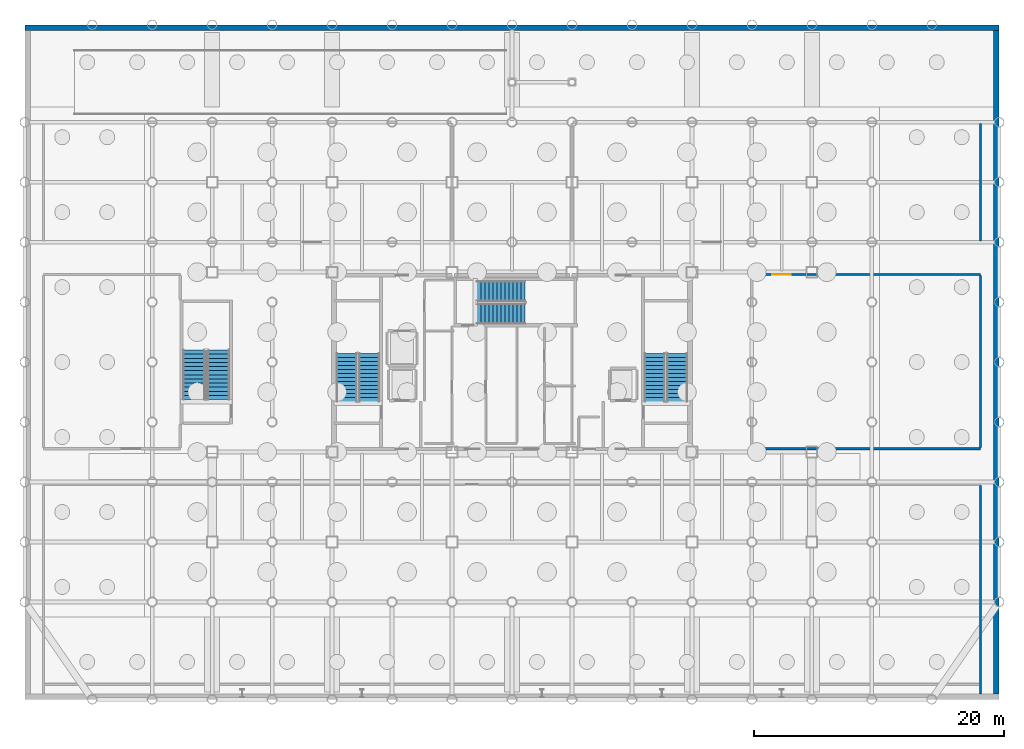
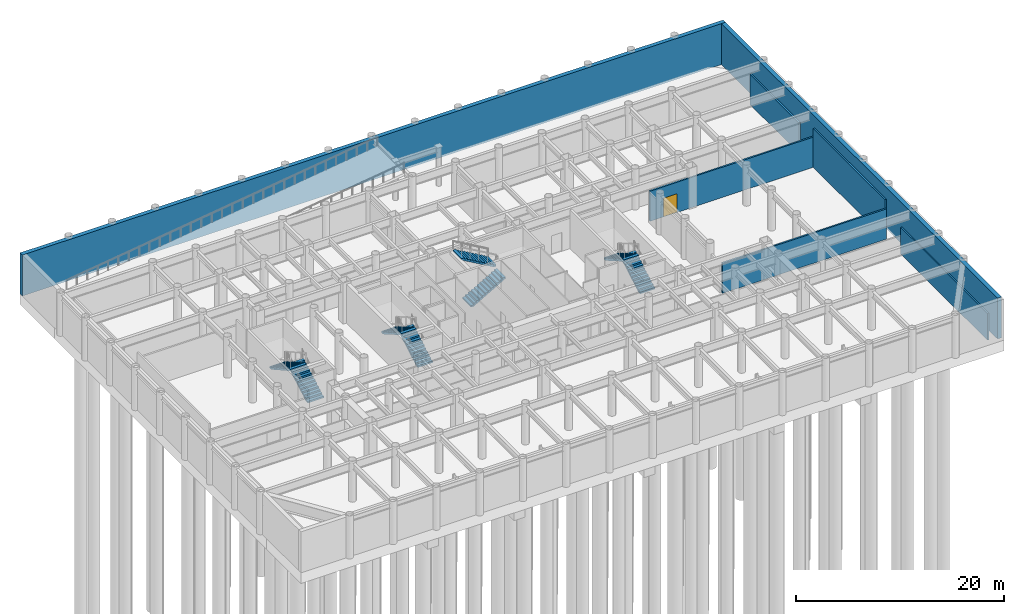
# One storey, part 12 of 17: 8 stair flights, 7 walls, 1 door, 1 opening, 4 elements without a shape of their own.
"""IFC4 building model written with IfcOpenShell, lengths in metres."""

from ifc_helpers import new_model, si_unit, direction, frame, frame_2d, origin, place, context, subcontext, project, spatial, polyline, rectangle, outline, extrude, material, layer, layer_set, type_object, element, fill, aggregate, save


model = new_model("IFC4")

# Units and contexts
model_context = context("Model", 3, precision=1e-05, world=origin(), true_north=direction((0.0, 1.0)))
body_context = subcontext(model_context, "Body", "Model", "MODEL_VIEW")
ifc_project = project(units=[si_unit("LENGTHUNIT", "METRE"), si_unit("AREAUNIT", "SQUARE_METRE"), si_unit("VOLUMEUNIT", "CUBIC_METRE"), si_unit("PLANEANGLEUNIT", "RADIAN"), si_unit("MASSUNIT", "GRAM", prefix="KILO")], contexts=[model_context])

# Site, building, storey
site_placement = place(None, origin())
site = spatial("IfcSite", under=ifc_project, at=site_placement, CompositionType="ELEMENT")
building_placement = place(site_placement, origin())
building = spatial("IfcBuilding", under=site, at=building_placement, Name="Kallvorn Hotel Tower", CompositionType="ELEMENT")
storey_placement = place(building_placement, frame((0.0, 0.0, -10.199951171875)))
storey = spatial("IfcBuildingStorey", under=building, at=storey_placement, Name="B2", CompositionType="ELEMENT", Elevation=-10.199951171875)

# Wall
ifc_material_1 = material(Name="Fire-rated double-layer acoustic gypsum drywall EI 60")
ifc_layer_1 = layer(ifc_material_1, 0.179931640625)
ifc_layer_set_1 = layer_set([ifc_layer_1], Name="WL_CORR_180")
wall_type_1 = type_object("IfcWallType", Name="WL_CORR_180", PredefinedType="PARTITIONING", material=ifc_layer_set_1)
wall_1_placement = place(storey_placement, frame((19.300048828125, -6.933349609375, 0.0), z_axis=(0.0, 0.0, 1.0), x_axis=(1.0, 0.0, 0.0)))
element("IfcWall", 1, at=wall_1_placement, inside=storey, type_object=wall_type_1, Name="B2 Medium-Voltage Substation and Standby Generator Hall Partition", PredefinedType="PARTITIONING", context=body_context, shape_type="SweptSolid", body=[
    extrude(rectangle(XDim=18.199951171875, YDim=0.179931640625, at=frame_2d((9.10009765625, 0.0))), origin(), (0.0, 0.0, 1.0), 3.550048828125),
])

# Wall, opening, door
wall_2_placement = place(storey_placement, frame((19.300048828125, 7.0, 0.0), z_axis=(0.0, 0.0, 1.0), x_axis=(1.0, 0.0, 0.0)))
wall_2 = element("IfcWall", 2, at=wall_2_placement, inside=storey, type_object=wall_type_1, Name="B2 Medium-Voltage Substation and Standby Generator Hall Partition", PredefinedType="PARTITIONING", context=body_context, shape_type="SweptSolid", body=[
    extrude(rectangle(XDim=18.199951171875, YDim=0.179931640625, at=frame_2d((9.10009765625, 0.0))), origin(), (0.0, 0.0, 1.0), 3.550048828125),
])
opening_placement = place(wall_2_placement, frame((1.516845703125, 0.0, 0.0)))
opening = element("IfcOpeningElement", 3, at=opening_placement, cuts=wall_2, Name="Opening PD1", PredefinedType="OPENING", context=body_context, shape_type="SweptSolid", body=[
    extrude(rectangle(XDim=1.5, YDim=2.199951171875, at=frame_2d((0.75, 1.10009765625))), frame((0.0, 0.104736328125, 0.0), z_axis=(0.0, -1.0, 0.0), x_axis=(1.0, 0.0, 0.0)), (0.0, 0.0, 1.0), 0.2099609375),
])
ifc_material_2 = material(Name="Galvanised painted steel fire-rated door assembly", Category="steel")
door_type = type_object("IfcDoorType", Name="DR_PLANT_1500x2200", OperationType="DOUBLE_DOOR_SINGLE_SWING", PredefinedType="DOOR", material=ifc_material_2)
door_placement = place(opening_placement, origin())
door = element("IfcDoor", 4, at=door_placement, inside=storey, type_object=door_type, Name="B2 Medium-Voltage Substation and Standby Generator Hall Door", OperationType="DOUBLE_DOOR_SINGLE_SWING", OverallHeight=2.199951171875, OverallWidth=1.5, PredefinedType="DOOR", context=body_context, shape_type="SweptSolid", body=[
    extrude(rectangle(XDim=1.5, YDim=2.199951171875, at=frame_2d((0.75, 1.10009765625))), frame((0.0, 0.02490234375, 0.0), z_axis=(0.0, -1.0, 0.0), x_axis=(1.0, 0.0, 0.0)), (0.0, 0.0, 1.0), 0.050048828125),
])
fill(opening, door)

# Walls
wall_3_placement = place(storey_placement, frame((37.5, -6.848388671875, 0.0), z_axis=(0.0, 0.0, 1.0), x_axis=(0.0, 1.0, 0.0)))
element("IfcWall", 5, at=wall_3_placement, inside=storey, type_object=wall_type_1, Name="B2 Medium-Voltage Substation and Standby Generator Hall Partition", PredefinedType="PARTITIONING", context=body_context, shape_type="SweptSolid", body=[
    extrude(rectangle(XDim=13.763427734375, YDim=0.179931640625, at=frame_2d((6.8818359375, 0.0))), origin(), (0.0, 0.0, 1.0), 4.550048828125),
])
wall_4_placement = place(storey_placement, frame((37.5, 9.68505859375, 0.0), z_axis=(0.0, 0.0, 1.0), x_axis=(0.0, 1.0, 0.0)))
element("IfcWall", 6, at=wall_4_placement, inside=storey, type_object=wall_type_1, Name="B2 Fire Reserve Tank and NFPA 20 Pump Room Partition", PredefinedType="PARTITIONING", context=body_context, shape_type="SweptSolid", body=[
    extrude(rectangle(XDim=9.4150390625, YDim=0.179931640625, at=frame_2d((4.70751953125, 0.0))), origin(), (0.0, 0.0, 1.0), 3.550048828125),
])
ifc_material_3 = material(Name="Fire-rated double-layer acoustic gypsum drywall EI 60")
ifc_layer_2 = layer(ifc_material_3, 0.14990234375)
ifc_layer_set_2 = layer_set([ifc_layer_2], Name="WL_PART_150")
wall_type_2 = type_object("IfcWallType", Name="WL_PART_150", PredefinedType="PARTITIONING", material=ifc_layer_set_2)
wall_5_placement = place(storey_placement, frame((37.5, -26.5400390625, 0.0), z_axis=(0.0, 0.0, 1.0), x_axis=(0.0, 1.0, 0.0)))
element("IfcWall", 7, at=wall_5_placement, inside=storey, type_object=wall_type_2, Name="B2 Basement Two-Way Loop Car Park Deck Partition", PredefinedType="PARTITIONING", context=body_context, shape_type="SweptSolid", body=[
    extrude(rectangle(XDim=16.655029296875, YDim=0.14990234375, at=frame_2d((8.32763671875, 0.0))), origin(), (0.0, 0.0, 1.0), 3.14990234375),
])
ifc_material_4 = material(Name="Concrete C40/50", Category="concrete")
ifc_layer_3 = layer(ifc_material_4, 0.449951171875)
ifc_layer_set_3 = layer_set([ifc_layer_3], Name="WL_RET_450")
wall_type_3 = type_object("IfcWallType", Name="WL_RET_450", PredefinedType="SOLIDWALL", material=ifc_layer_set_3)
wall_6_placement = place(storey_placement, frame((39.0, 26.77490234375, -0.25), z_axis=(0.0, 0.0, 1.0), x_axis=(-1.0, 0.0, 0.0)))
element("IfcWall", 8, at=wall_6_placement, inside=storey, type_object=wall_type_3, Name="B2 Perimeter Retaining Wall N", PredefinedType="SOLIDWALL", context=body_context, shape_type="SweptSolid", body=[
    extrude(rectangle(XDim=78.0, YDim=0.449951171875, at=frame_2d((39.0, 0.0))), origin(), (0.0, 0.0, 1.0), 4.800048828125),
])
wall_7_placement = place(storey_placement, frame((38.77490234375, -26.550048828125, -0.25), z_axis=(0.0, 0.0, 1.0), x_axis=(0.0, 1.0, 0.0)))
element("IfcWall", 9, at=wall_7_placement, inside=storey, type_object=wall_type_3, Name="B2 Perimeter Retaining Wall E", PredefinedType="SOLIDWALL", context=body_context, shape_type="SweptSolid", body=[
    extrude(rectangle(XDim=53.10009765625, YDim=0.449951171875, at=frame_2d((26.550048828125, 0.0))), origin(), (0.0, 0.0, 1.0), 4.800048828125),
])

# Stair, stair flights
ifc_material_5 = material(Name="Precast concrete C40/50", Category="concrete")
stair_type_1 = type_object("IfcStairType", Name="STR_CORE_DOGLEG", PredefinedType="HALF_TURN_STAIR", material=ifc_material_5)
stair_1_placement = place(storey_placement, origin())
stair_1 = element("IfcStair", 10, at=stair_1_placement, inside=storey, type_object=stair_type_1, Name="B2 Exit stair ST1", PredefinedType="HALF_TURN_STAIR")
ifc_material_6 = material(Name="Precast concrete C40/50", Category="concrete")
stair_flight_type_1 = type_object("IfcStairFlightType", Name="FLT_CORE_1660", PredefinedType="STRAIGHT", material=ifc_material_6)
stair_flight_1_placement = place(storey_placement, frame((-11.429931640625, -3.139892578125, 0.0), z_axis=(0.0, 0.0, 1.0), x_axis=(0.0, 1.0, 0.0)))
stair_flight_1 = element("IfcStairFlight", 11, at=stair_flight_1_placement, type_object=stair_flight_type_1, Name="ST1 flight 1", NumberOfRisers=13, NumberOfTreads=12, PredefinedType="STRAIGHT", RiserHeight=0.184615385, TreadLength=0.32, context=body_context, shape_type="SweptSolid", body=[
    extrude(outline(polyline([(0.0, 0.0), (0.0, 0.1845703125), (0.320068359375, 0.1845703125), (0.320068359375, 0.369140625), (0.639892578125, 0.369140625), (0.639892578125, 0.553955078125), (0.9599609375, 0.553955078125), (0.9599609375, 0.738525390625), (1.280029296875, 0.738525390625), (1.280029296875, 0.923095703125), (1.60009765625, 0.923095703125), (1.60009765625, 1.107666015625), (1.919921875, 1.107666015625), (1.919921875, 1.292236328125), (2.239990234375, 1.292236328125), (2.239990234375, 1.476806640625), (2.56005859375, 1.476806640625), (2.56005859375, 1.66162109375), (2.8798828125, 1.66162109375), (2.8798828125, 1.84619140625), (3.199951171875, 1.84619140625), (3.199951171875, 2.03076171875), (3.52001953125, 2.03076171875), (3.52001953125, 2.21533203125), (3.840087890625, 2.21533203125), (3.840087890625, 2.39990234375), (3.840087890625, 2.042236328125), (0.300048828125, 0.0), (0.0, 0.0)])), frame((0.0, 0.830078125, 0.0), z_axis=(0.0, -1.0, 0.0), x_axis=(1.0, 0.0, 0.0)), (0.0, 0.0, 1.0), 1.659912109375),
])
stair_flight_2_placement = place(storey_placement, frame((-13.22998046875, 0.699951171875, 2.39990234375), z_axis=(0.0, 0.0, 1.0), x_axis=(0.0, -1.0, 0.0)))
stair_flight_2 = element("IfcStairFlight", 12, at=stair_flight_2_placement, type_object=stair_flight_type_1, Name="ST1 flight 2", NumberOfRisers=13, NumberOfTreads=12, PredefinedType="STRAIGHT", RiserHeight=0.184615385, TreadLength=0.32, context=body_context, shape_type="SweptSolid", body=[
    extrude(outline(polyline([(0.0, 0.0), (0.0, 0.1845703125), (0.320068359375, 0.1845703125), (0.320068359375, 0.369140625), (0.639892578125, 0.369140625), (0.639892578125, 0.553955078125), (0.9599609375, 0.553955078125), (0.9599609375, 0.738525390625), (1.280029296875, 0.738525390625), (1.280029296875, 0.923095703125), (1.60009765625, 0.923095703125), (1.60009765625, 1.107666015625), (1.919921875, 1.107666015625), (1.919921875, 1.292236328125), (2.239990234375, 1.292236328125), (2.239990234375, 1.476806640625), (2.56005859375, 1.476806640625), (2.56005859375, 1.66162109375), (2.8798828125, 1.66162109375), (2.8798828125, 1.84619140625), (3.199951171875, 1.84619140625), (3.199951171875, 2.03076171875), (3.52001953125, 2.03076171875), (3.52001953125, 2.21533203125), (3.840087890625, 2.21533203125), (3.840087890625, 2.39990234375), (3.840087890625, 2.042236328125), (0.300048828125, 0.0), (0.0, 0.0)])), frame((0.0, 0.830078125, 0.0), z_axis=(0.0, -1.0, 0.0), x_axis=(1.0, 0.0, 0.0)), (0.0, 0.0, 1.0), 1.659912109375),
])
aggregate(stair_1, [stair_flight_1, stair_flight_2])

stair_2_placement = place(storey_placement, origin())
stair_2 = element("IfcStair", 13, at=stair_2_placement, inside=storey, type_object=stair_type_1, Name="B2 Exit stair ST2", PredefinedType="HALF_TURN_STAIR")
stair_flight_3_placement = place(storey_placement, frame((13.22998046875, -3.139892578125, 0.0), z_axis=(0.0, 0.0, 1.0), x_axis=(0.0, 1.0, 0.0)))
stair_flight_3 = element("IfcStairFlight", 14, at=stair_flight_3_placement, type_object=stair_flight_type_1, Name="ST2 flight 1", NumberOfRisers=13, NumberOfTreads=12, PredefinedType="STRAIGHT", RiserHeight=0.184615385, TreadLength=0.32, context=body_context, shape_type="SweptSolid", body=[
    extrude(outline(polyline([(0.0, 0.0), (0.0, 0.1845703125), (0.320068359375, 0.1845703125), (0.320068359375, 0.369140625), (0.639892578125, 0.369140625), (0.639892578125, 0.553955078125), (0.9599609375, 0.553955078125), (0.9599609375, 0.738525390625), (1.280029296875, 0.738525390625), (1.280029296875, 0.923095703125), (1.60009765625, 0.923095703125), (1.60009765625, 1.107666015625), (1.919921875, 1.107666015625), (1.919921875, 1.292236328125), (2.239990234375, 1.292236328125), (2.239990234375, 1.476806640625), (2.56005859375, 1.476806640625), (2.56005859375, 1.66162109375), (2.8798828125, 1.66162109375), (2.8798828125, 1.84619140625), (3.199951171875, 1.84619140625), (3.199951171875, 2.03076171875), (3.52001953125, 2.03076171875), (3.52001953125, 2.21533203125), (3.840087890625, 2.21533203125), (3.840087890625, 2.39990234375), (3.840087890625, 2.042236328125), (0.300048828125, 0.0), (0.0, 0.0)])), frame((0.0, 0.830078125, 0.0), z_axis=(0.0, -1.0, 0.0), x_axis=(1.0, 0.0, 0.0)), (0.0, 0.0, 1.0), 1.659912109375),
])
stair_flight_4_placement = place(storey_placement, frame((11.429931640625, 0.699951171875, 2.39990234375), z_axis=(0.0, 0.0, 1.0), x_axis=(0.0, -1.0, 0.0)))
stair_flight_4 = element("IfcStairFlight", 15, at=stair_flight_4_placement, type_object=stair_flight_type_1, Name="ST2 flight 2", NumberOfRisers=13, NumberOfTreads=12, PredefinedType="STRAIGHT", RiserHeight=0.184615385, TreadLength=0.32, context=body_context, shape_type="SweptSolid", body=[
    extrude(outline(polyline([(0.0, 0.0), (0.0, 0.1845703125), (0.320068359375, 0.1845703125), (0.320068359375, 0.369140625), (0.639892578125, 0.369140625), (0.639892578125, 0.553955078125), (0.9599609375, 0.553955078125), (0.9599609375, 0.738525390625), (1.280029296875, 0.738525390625), (1.280029296875, 0.923095703125), (1.60009765625, 0.923095703125), (1.60009765625, 1.107666015625), (1.919921875, 1.107666015625), (1.919921875, 1.292236328125), (2.239990234375, 1.292236328125), (2.239990234375, 1.476806640625), (2.56005859375, 1.476806640625), (2.56005859375, 1.66162109375), (2.8798828125, 1.66162109375), (2.8798828125, 1.84619140625), (3.199951171875, 1.84619140625), (3.199951171875, 2.03076171875), (3.52001953125, 2.03076171875), (3.52001953125, 2.21533203125), (3.840087890625, 2.21533203125), (3.840087890625, 2.39990234375), (3.840087890625, 2.042236328125), (0.300048828125, 0.0), (0.0, 0.0)])), frame((0.0, 0.830078125, 0.0), z_axis=(0.0, -1.0, 0.0), x_axis=(1.0, 0.0, 0.0)), (0.0, 0.0, 1.0), 1.659912109375),
])
aggregate(stair_2, [stair_flight_3, stair_flight_4])

stair_3_placement = place(storey_placement, origin())
stair_3 = element("IfcStair", 16, at=stair_3_placement, inside=storey, type_object=stair_type_1, Name="B2 Exit stair ST3", PredefinedType="HALF_TURN_STAIR")
stair_flight_5_placement = place(storey_placement, frame((-2.7900390625, 3.8798828125, 0.0), z_axis=(0.0, 0.0, 1.0), x_axis=(1.0, 0.0, 0.0)))
stair_flight_5 = element("IfcStairFlight", 17, at=stair_flight_5_placement, type_object=stair_flight_type_1, Name="ST3 flight 1", NumberOfRisers=13, NumberOfTreads=12, PredefinedType="STRAIGHT", RiserHeight=0.184615385, TreadLength=0.32, context=body_context, shape_type="SweptSolid", body=[
    extrude(outline(polyline([(0.0, 0.0), (0.0, 0.1845703125), (0.320068359375, 0.1845703125), (0.320068359375, 0.369140625), (0.639892578125, 0.369140625), (0.639892578125, 0.553955078125), (0.9599609375, 0.553955078125), (0.9599609375, 0.738525390625), (1.280029296875, 0.738525390625), (1.280029296875, 0.923095703125), (1.60009765625, 0.923095703125), (1.60009765625, 1.107666015625), (1.919921875, 1.107666015625), (1.919921875, 1.292236328125), (2.239990234375, 1.292236328125), (2.239990234375, 1.476806640625), (2.56005859375, 1.476806640625), (2.56005859375, 1.66162109375), (2.8798828125, 1.66162109375), (2.8798828125, 1.84619140625), (3.199951171875, 1.84619140625), (3.199951171875, 2.03076171875), (3.52001953125, 2.03076171875), (3.52001953125, 2.21533203125), (3.840087890625, 2.21533203125), (3.840087890625, 2.39990234375), (3.840087890625, 2.042236328125), (0.300048828125, 0.0), (0.0, 0.0)])), frame((0.0, 0.830078125, 0.0), z_axis=(0.0, -1.0, 0.0), x_axis=(1.0, 0.0, 0.0)), (0.0, 0.0, 1.0), 1.659912109375),
])
stair_flight_6_placement = place(storey_placement, frame((1.050048828125, 5.679931640625, 2.39990234375), z_axis=(0.0, 0.0, 1.0), x_axis=(-1.0, 0.0, 0.0)))
stair_flight_6 = element("IfcStairFlight", 18, at=stair_flight_6_placement, type_object=stair_flight_type_1, Name="ST3 flight 2", NumberOfRisers=13, NumberOfTreads=12, PredefinedType="STRAIGHT", RiserHeight=0.184615385, TreadLength=0.32, context=body_context, shape_type="SweptSolid", body=[
    extrude(outline(polyline([(0.0, 0.0), (0.0, 0.1845703125), (0.320068359375, 0.1845703125), (0.320068359375, 0.369140625), (0.639892578125, 0.369140625), (0.639892578125, 0.553955078125), (0.9599609375, 0.553955078125), (0.9599609375, 0.738525390625), (1.280029296875, 0.738525390625), (1.280029296875, 0.923095703125), (1.60009765625, 0.923095703125), (1.60009765625, 1.107666015625), (1.919921875, 1.107666015625), (1.919921875, 1.292236328125), (2.239990234375, 1.292236328125), (2.239990234375, 1.476806640625), (2.56005859375, 1.476806640625), (2.56005859375, 1.66162109375), (2.8798828125, 1.66162109375), (2.8798828125, 1.84619140625), (3.199951171875, 1.84619140625), (3.199951171875, 2.03076171875), (3.52001953125, 2.03076171875), (3.52001953125, 2.21533203125), (3.840087890625, 2.21533203125), (3.840087890625, 2.39990234375), (3.840087890625, 2.042236328125), (0.300048828125, 0.0), (0.0, 0.0)])), frame((0.0, 0.830078125, 0.0), z_axis=(0.0, -1.0, 0.0), x_axis=(1.0, 0.0, 0.0)), (0.0, 0.0, 1.0), 1.659912109375),
])
aggregate(stair_3, [stair_flight_5, stair_flight_6])

ifc_material_7 = material(Name="Precast concrete C40/50", Category="concrete")
stair_type_2 = type_object("IfcStairType", Name="STR_POD_DOGLEG", PredefinedType="HALF_TURN_STAIR", material=ifc_material_7)
stair_4_placement = place(storey_placement, origin())
stair_4 = element("IfcStair", 19, at=stair_4_placement, inside=storey, type_object=stair_type_2, Name="B2 Exit stair ST4", PredefinedType="HALF_TURN_STAIR")
ifc_material_8 = material(Name="Precast concrete C40/50", Category="concrete")
stair_flight_type_2 = type_object("IfcStairFlightType", Name="FLT_POD_1800", PredefinedType="STRAIGHT", material=ifc_material_8)
stair_flight_7_placement = place(storey_placement, frame((-23.5, -3.0, 0.0), z_axis=(0.0, 0.0, 1.0), x_axis=(0.0, 1.0, 0.0)))
stair_flight_7 = element("IfcStairFlight", 20, at=stair_flight_7_placement, type_object=stair_flight_type_2, Name="ST4 flight 1", NumberOfRisers=13, NumberOfTreads=12, PredefinedType="STRAIGHT", RiserHeight=0.184615385, TreadLength=0.33, context=body_context, shape_type="SweptSolid", body=[
    extrude(outline(polyline([(0.0, 0.0), (0.0, 0.1845703125), (0.330078125, 0.1845703125), (0.330078125, 0.369140625), (0.659912109375, 0.369140625), (0.659912109375, 0.553955078125), (0.989990234375, 0.553955078125), (0.989990234375, 0.738525390625), (1.320068359375, 0.738525390625), (1.320068359375, 0.923095703125), (1.64990234375, 0.923095703125), (1.64990234375, 1.107666015625), (1.97998046875, 1.107666015625), (1.97998046875, 1.292236328125), (2.31005859375, 1.292236328125), (2.31005859375, 1.476806640625), (2.639892578125, 1.476806640625), (2.639892578125, 1.66162109375), (2.969970703125, 1.66162109375), (2.969970703125, 1.84619140625), (3.300048828125, 1.84619140625), (3.300048828125, 2.03076171875), (3.6298828125, 2.03076171875), (3.6298828125, 2.21533203125), (3.9599609375, 2.21533203125), (3.9599609375, 2.39990234375), (3.9599609375, 2.043701171875), (0.30712890625, 0.0), (0.0, 0.0)])), frame((0.0, 0.89990234375, 0.0), z_axis=(0.0, -1.0, 0.0), x_axis=(1.0, 0.0, 0.0)), (0.0, 0.0, 1.0), 1.800048828125),
])
stair_flight_8_placement = place(storey_placement, frame((-25.43994140625, 0.9599609375, 2.39990234375), z_axis=(0.0, 0.0, 1.0), x_axis=(0.0, -1.0, 0.0)))
stair_flight_8 = element("IfcStairFlight", 21, at=stair_flight_8_placement, type_object=stair_flight_type_2, Name="ST4 flight 2", NumberOfRisers=13, NumberOfTreads=12, PredefinedType="STRAIGHT", RiserHeight=0.184615385, TreadLength=0.33, context=body_context, shape_type="SweptSolid", body=[
    extrude(outline(polyline([(0.0, 0.0), (0.0, 0.1845703125), (0.330078125, 0.1845703125), (0.330078125, 0.369140625), (0.659912109375, 0.369140625), (0.659912109375, 0.553955078125), (0.989990234375, 0.553955078125), (0.989990234375, 0.738525390625), (1.320068359375, 0.738525390625), (1.320068359375, 0.923095703125), (1.64990234375, 0.923095703125), (1.64990234375, 1.107666015625), (1.97998046875, 1.107666015625), (1.97998046875, 1.292236328125), (2.31005859375, 1.292236328125), (2.31005859375, 1.476806640625), (2.639892578125, 1.476806640625), (2.639892578125, 1.66162109375), (2.969970703125, 1.66162109375), (2.969970703125, 1.84619140625), (3.300048828125, 1.84619140625), (3.300048828125, 2.03076171875), (3.6298828125, 2.03076171875), (3.6298828125, 2.21533203125), (3.9599609375, 2.21533203125), (3.9599609375, 2.39990234375), (3.9599609375, 2.043701171875), (0.30712890625, 0.0), (0.0, 0.0)])), frame((0.0, 0.89990234375, 0.0), z_axis=(0.0, -1.0, 0.0), x_axis=(1.0, 0.0, 0.0)), (0.0, 0.0, 1.0), 1.800048828125),
])
aggregate(stair_4, [stair_flight_7, stair_flight_8])

save(model, "model.ifc")
